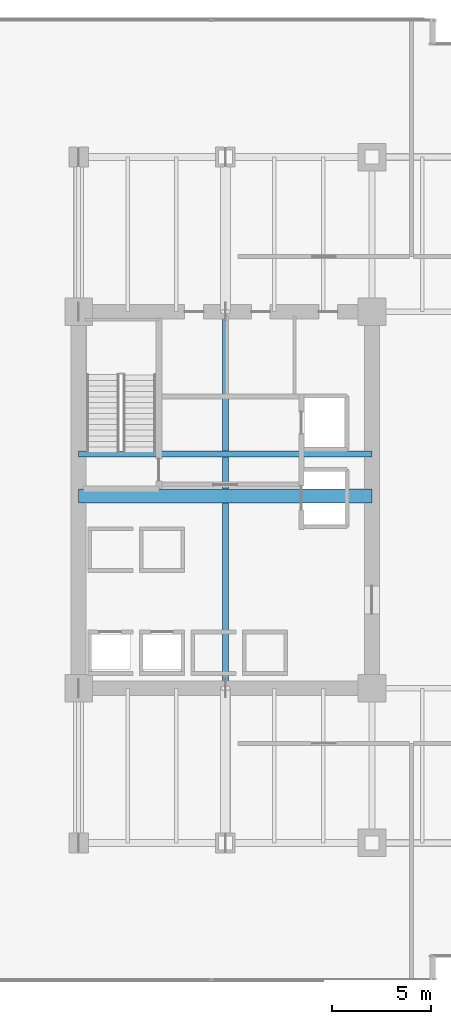
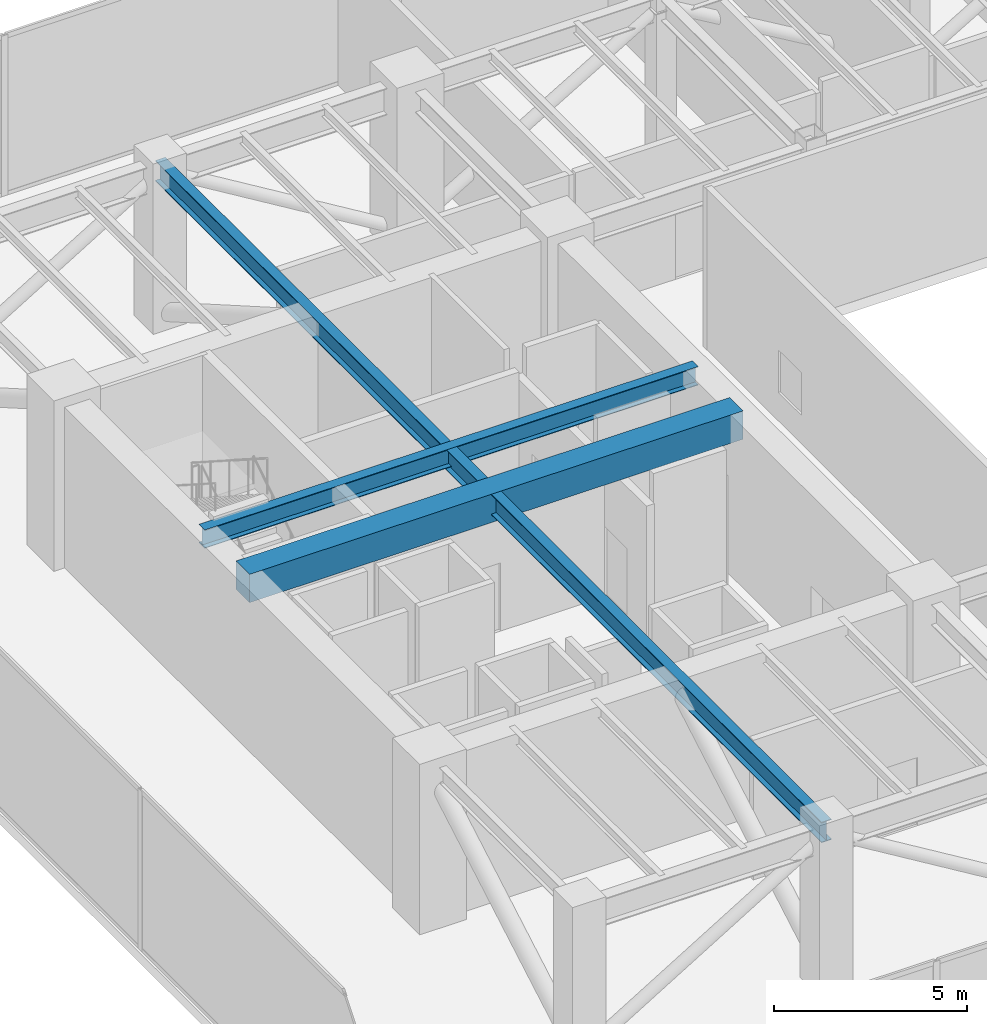
# One storey, part 7 of 38: 3 beams.
"""IFC4 building model written with IfcOpenShell, lengths in metres."""

from ifc_helpers import new_model, si_unit, direction, frame, origin, origin_2d, place, context, subcontext, project, spatial, rectangle, i_section, extrude, source, transform, mapped, material, material_profile, profile_set, type_object, type_shapes, element, save


model = new_model("IFC4")

# Units and contexts
model_context = context("Model", 3, precision=1e-05, world=origin(), true_north=direction((0.0, 1.0)))
body_context = subcontext(model_context, "Body", "Model", "MODEL_VIEW")
ifc_project = project(units=[si_unit("LENGTHUNIT", "METRE"), si_unit("AREAUNIT", "SQUARE_METRE"), si_unit("VOLUMEUNIT", "CUBIC_METRE"), si_unit("PLANEANGLEUNIT", "RADIAN"), si_unit("MASSUNIT", "GRAM", prefix="KILO")], contexts=[model_context])

# Site, building, storey
site_placement = place(None, origin())
site = spatial("IfcSite", under=ifc_project, at=site_placement, CompositionType="ELEMENT")
building_placement = place(site_placement, origin())
building = spatial("IfcBuilding", under=site, at=building_placement, Name="Haelvirn Gate Laboratories", CompositionType="ELEMENT")
storey_placement = place(building_placement, frame((0.0, 0.0, 94.89990234375)))
storey = spatial("IfcBuildingStorey", under=building, at=storey_placement, Name="L23", CompositionType="ELEMENT", Elevation=94.89990234375)

# Beams
ifc_material_1 = material(Name="Concrete C60/75", Category="concrete")
ifc_material_profile_1 = material_profile(ifc_material_1, rectangle(XDim=0.699951171875, YDim=0.89990234375, at=origin_2d()), Name="RCB-700x900")
ifc_profile_set_1 = profile_set([ifc_material_profile_1], Name="Concrete C60/75")
beam_type_1 = type_object("IfcBeamType", Name="BM-RCB-900", PredefinedType="LINTEL", material=ifc_profile_set_1)
shared_shape_1 = source(origin(), body_context, "Body", "SweptSolid", [
    extrude(rectangle(XDim=0.699951171875, YDim=0.89990234375, at=origin_2d()), origin(), (0.0, 0.0, 1.0), 14.800048828125),
])
type_shapes(beam_type_1, [shared_shape_1])
beam_1_placement = place(storey_placement, frame((7.39990234375, 24.5, 4.64013671875), z_axis=(1.0, 0.0, 0.0), x_axis=(0.0, 1.0, 0.0)))
element("IfcBeam", 1, at=beam_1_placement, inside=storey, type_object=beam_type_1, Name="L23 West Core Coupling Beam", PredefinedType="LINTEL", context=body_context, shape_type="MappedRepresentation", body=[
    mapped(shared_shape_1, transform((0.0, 0.0, 0.0), scale=1.0)),
])
ifc_material_2 = material(Name="Steel SM355", Category="steel")
ifc_material_profile_2 = material_profile(ifc_material_2, i_section(OverallWidth=0.300048828125, OverallDepth=0.587890625, WebThickness=0.011962890625, FlangeThickness=0.02001953125, at=origin_2d()), Name="H-588x300x12x20")
ifc_profile_set_2 = profile_set([ifc_material_profile_2], Name="Steel SM355")
beam_type_2 = type_object("IfcBeamType", Name="BM-G-588", PredefinedType="BEAM", material=ifc_profile_set_2)
shared_shape_2 = source(origin(), body_context, "Body", "SweptSolid", [
    extrude(i_section(OverallWidth=0.300048828125, OverallDepth=0.587890625, WebThickness=0.011962890625, FlangeThickness=0.02001953125, at=origin_2d()), origin(), (0.0, 0.0, 1.0), 14.800048828125),
])
type_shapes(beam_type_2, [shared_shape_2])
beam_2_placement = place(storey_placement, frame((7.39990234375, 26.6201171875, 4.796142578125), z_axis=(1.0, 0.0, 0.0), x_axis=(0.0, 1.0, 0.0)))
element("IfcBeam", 2, at=beam_2_placement, inside=storey, type_object=beam_type_2, Name="L23 Stair ST1 Landing Header", PredefinedType="BEAM", context=body_context, shape_type="MappedRepresentation", body=[
    mapped(shared_shape_2, transform((0.0, 0.0, 0.0), scale=1.0)),
])
ifc_material_profile_3 = material_profile(ifc_material_2, i_section(OverallWidth=0.300048828125, OverallDepth=0.64990234375, WebThickness=0.012939453125, FlangeThickness=0.02197265625, at=origin_2d()), Name="H-650x300x13x22")
ifc_profile_set_3 = profile_set([ifc_material_profile_3], Name="Steel SM355")
beam_type_3 = type_object("IfcBeamType", Name="BM-G-650", PredefinedType="BEAM", material=ifc_profile_set_3)
shared_shape_3 = source(origin(), body_context, "Body", "SweptSolid", [
    extrude(i_section(OverallWidth=0.300048828125, OverallDepth=0.64990234375, WebThickness=0.012939453125, FlangeThickness=0.02197265625, at=origin_2d()), origin(), (0.0, 0.0, 1.0), 34.60009765625),
])
type_shapes(beam_type_3, [shared_shape_3])
beam_3_placement = place(storey_placement, frame((14.800048828125, 7.0, 4.76513671875), z_axis=(0.0, 1.0, 0.0), x_axis=(-1.0, 0.0, 0.0)))
element("IfcBeam", 3, at=beam_3_placement, inside=storey, type_object=beam_type_3, Name="L23 Frame Girder X14.8 (7.0-41.6)", PredefinedType="BEAM", context=body_context, shape_type="MappedRepresentation", body=[
    mapped(shared_shape_3, transform((0.0, 0.0, 0.0), scale=1.0)),
])

save(model, "model.ifc")
